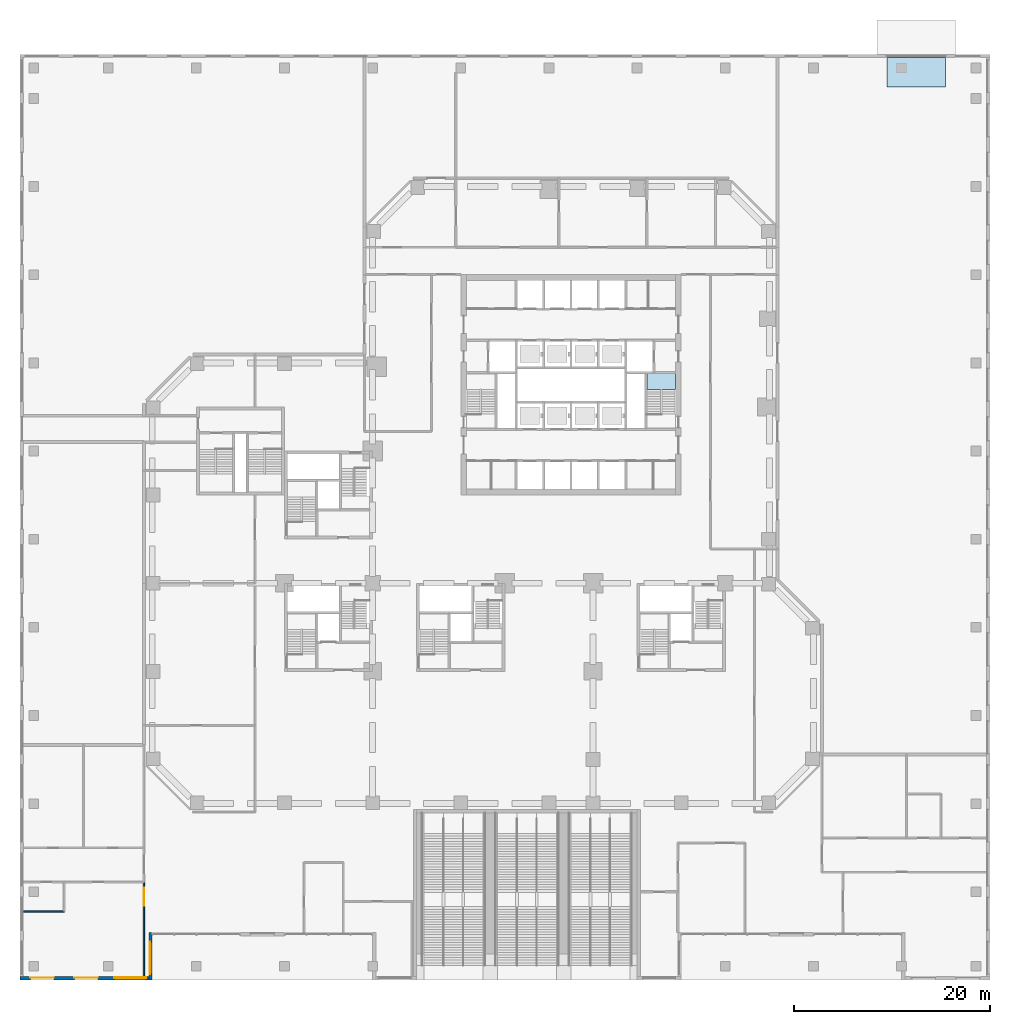
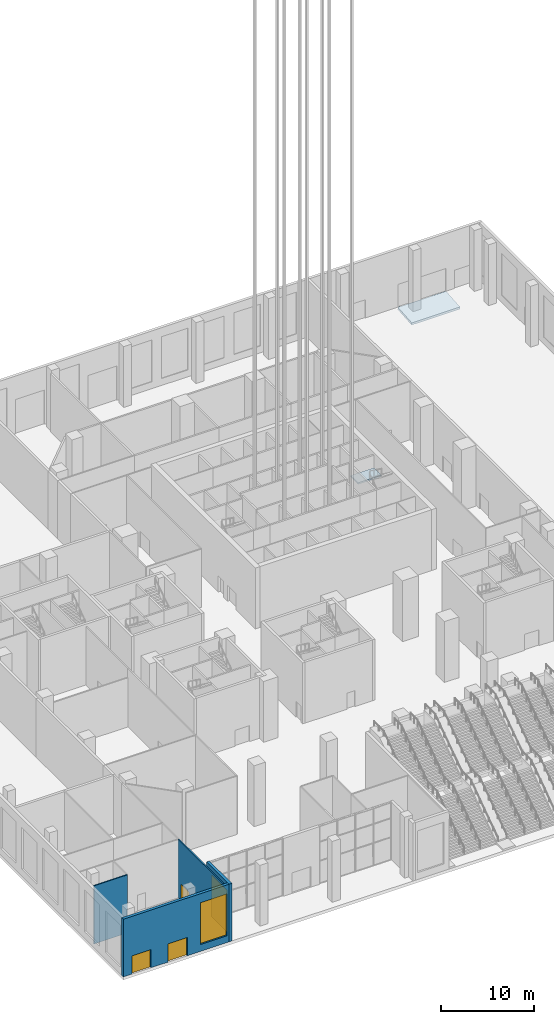
# One storey, part 7 of 32: 4 walls, 3 doors, 2 slabs, 2 windows, 5 openings, 1 element without a shape of its own.
"""IFC4 building model written with IfcOpenShell, lengths in metres."""

from ifc_helpers import new_model, si_unit, direction, frame, frame_2d, origin, place, context, subcontext, project, spatial, polyline, rectangle, outline, extrude, material, layer, layer_set, constituent, constituent_set, type_object, element, fill, aggregate, save


model = new_model("IFC4")

# Units and contexts
model_context = context("Model", 3, precision=1e-05, world=origin(), true_north=direction((0.0, 1.0)))
body_context = subcontext(model_context, "Body", "Model", "MODEL_VIEW")
ifc_project = project(units=[si_unit("LENGTHUNIT", "METRE"), si_unit("AREAUNIT", "SQUARE_METRE"), si_unit("VOLUMEUNIT", "CUBIC_METRE"), si_unit("PLANEANGLEUNIT", "RADIAN"), si_unit("MASSUNIT", "GRAM", prefix="KILO")], contexts=[model_context])

# Site, building, storey
site_placement = place(None, origin())
site = spatial("IfcSite", under=ifc_project, at=site_placement, CompositionType="ELEMENT")
building_placement = place(site_placement, origin())
building = spatial("IfcBuilding", under=site, at=building_placement, Name="Quoin Convention Tower", CompositionType="ELEMENT")
storey_placement = place(building_placement, origin())
storey = spatial("IfcBuildingStorey", under=building, at=storey_placement, Name="L00", CompositionType="ELEMENT", Elevation=0.0)

# Slab
ifc_material_1 = material(Name="Concrete C40", Category="concrete")
ifc_layer_1 = layer(ifc_material_1, 0.300048828125)
ifc_layer_set_1 = layer_set([ifc_layer_1], Name="Concrete C40")
slab_type_1 = type_object("IfcSlabType", Name="Car ramp slab", PredefinedType="USERDEFINED", material=ifc_layer_set_1)
slab_1_placement = place(storey_placement, frame((88.5, 94.14990234375, 0.0), z_axis=(0.0, -0.083045479854, 0.996545758245), x_axis=(1.0, 0.0, 0.0)))
element("IfcSlab", 1, at=slab_1_placement, inside=storey, type_object=slab_type_1, Name="CAR RAMP 1TOP", ObjectType="VEHICLE RAMP SLAB", PredefinedType="USERDEFINED", context=body_context, shape_type="SweptSolid", body=[
    extrude(outline(polyline([(0.0, 0.0), (6.0, 0.0), (6.0, -3.010398644698074), (0.0, -3.010398644698074), (0.0, 0.0)])), origin(), (0.0, 0.0, -1.0), 0.300048828125),
])

# Stair, slab
stair_type = type_object("IfcStairType", Name="Exit stair four-flight 1350", PredefinedType="DOUBLE_RETURN_STAIR", material=ifc_material_1)
stair_placement = place(storey_placement, origin())
stair = element("IfcStair", 2, at=stair_placement, inside=storey, type_object=stair_type, Name="SD2 L00", PredefinedType="DOUBLE_RETURN_STAIR")
ifc_layer_2 = layer(ifc_material_1, 0.199951171875)
ifc_layer_set_2 = layer_set([ifc_layer_2], Name="Concrete C40")
slab_type_2 = type_object("IfcSlabType", Name="Stair landing 200", PredefinedType="LANDING", material=ifc_layer_set_2)
slab_2_placement = place(storey_placement, frame((0.0, 0.0, 5.800048828125)))
slab_2 = element("IfcSlab", 3, at=slab_2_placement, type_object=slab_type_2, Name="ST2 landing 3", PredefinedType="LANDING", context=body_context, shape_type="SweptSolid", body=[
    extrude(outline(polyline([(64.0, 60.300048828125), (66.89990234375, 60.300048828125), (66.89990234375, 61.89990234375), (64.0, 61.89990234375), (64.0, 60.300048828125)])), origin(), (0.0, 0.0, 1.0), 0.199951171875),
])
aggregate(stair, [slab_2])

# Wall, openings, doors, window
ifc_material_2 = material(Name="Brick masonry", Category="masonry")
ifc_layer_3 = layer(ifc_material_2, 0.35009765625)
ifc_layer_set_3 = layer_set([ifc_layer_3], Name="Brick masonry")
wall_type_1 = type_object("IfcWallType", Name="Brick facade wall", PredefinedType="STANDARD", material=ifc_layer_set_3)
wall_1_placement = place(storey_placement, frame((0.0, 0.175048828125, 0.0), z_axis=(0.0, 0.0, 1.0), x_axis=(1.0, 0.0, 0.0)))
wall_1 = element("IfcWall", 4, at=wall_1_placement, inside=storey, type_object=wall_type_1, Name="fw-L00-0_0", PredefinedType="STANDARD", context=body_context, shape_type="SweptSolid", body=[
    extrude(rectangle(XDim=13.5, YDim=0.35009765625, at=frame_2d((6.75, 0.0))), origin(), (0.0, 0.0, 1.0), 7.590087890625),
])
opening_1_placement = place(wall_1_placement, frame((1.050048828125, 0.0, 0.0)))
opening_1 = element("IfcOpeningElement", 5, at=opening_1_placement, cuts=wall_1, Name="Opening D-T5", PredefinedType="OPENING", context=body_context, shape_type="SweptSolid", body=[
    extrude(rectangle(XDim=2.39990234375, YDim=2.39990234375, at=frame_2d((1.199951171875, 1.199951171875))), frame((0.0, 0.18505859375, 0.0), z_axis=(0.0, -1.0, 0.0), x_axis=(1.0, 0.0, 0.0)), (0.0, 0.0, 1.0), 0.3701171875),
])
opening_2_placement = place(wall_1_placement, frame((5.550048828125, 0.0, 0.0)))
opening_2 = element("IfcOpeningElement", 6, at=opening_2_placement, cuts=wall_1, Name="Opening D-T5", PredefinedType="OPENING", context=body_context, shape_type="SweptSolid", body=[
    extrude(rectangle(XDim=2.39990234375, YDim=2.39990234375, at=frame_2d((1.199951171875, 1.199951171875))), frame((0.0, 0.18505859375, 0.0), z_axis=(0.0, -1.0, 0.0), x_axis=(1.0, 0.0, 0.0)), (0.0, 0.0, 1.0), 0.3701171875),
])
opening_3_placement = place(wall_1_placement, frame((9.60009765625, 0.0, 0.89990234375)))
opening_3 = element("IfcOpeningElement", 7, at=opening_3_placement, cuts=wall_1, Name="Opening W-06", PredefinedType="OPENING", context=body_context, shape_type="SweptSolid", body=[
    extrude(rectangle(XDim=3.300048828125, YDim=5.5, at=frame_2d((1.64990234375, 2.75))), frame((0.0, 0.18505859375, 0.0), z_axis=(0.0, -1.0, 0.0), x_axis=(1.0, 0.0, 0.0)), (0.0, 0.0, 1.0), 0.3701171875),
])
ifc_material_3 = material(Name="Galvanised steel", Category="steel")
door_type_1 = type_object("IfcDoorType", Name="Exit door", OperationType="DOUBLE_DOOR_SINGLE_SWING", PredefinedType="DOOR", material=ifc_material_3)
door_1_placement = place(opening_1_placement, frame((2.39990234375, 0.0, 0.0), z_axis=(0.0, 0.0, 1.0), x_axis=(-1.0, 0.0, 0.0)))
door_1 = element("IfcDoor", 8, at=door_1_placement, inside=storey, type_object=door_type_1, Name="dr-L00-2250_175", OperationType="DOUBLE_DOOR_SINGLE_SWING", OverallHeight=2.39990234375, OverallWidth=2.39990234375, PredefinedType="DOOR", context=body_context, shape_type="SweptSolid", body=[
    extrude(rectangle(XDim=2.39990234375, YDim=2.39990234375, at=frame_2d((1.199951171875, 1.199951171875))), frame((0.0, -0.02978515625, 0.0), z_axis=(0.0, -1.0, 0.0), x_axis=(1.0, 0.0, 0.0)), (0.0, 0.0, 1.0), 0.050048828125),
])
fill(opening_1, door_1)
door_2_placement = place(opening_2_placement, frame((2.39990234375, 0.0, 0.0), z_axis=(0.0, 0.0, 1.0), x_axis=(-1.0, 0.0, 0.0)))
door_2 = element("IfcDoor", 9, at=door_2_placement, inside=storey, type_object=door_type_1, Name="dr-L00-6750_175", OperationType="DOUBLE_DOOR_SINGLE_SWING", OverallHeight=2.39990234375, OverallWidth=2.39990234375, PredefinedType="DOOR", context=body_context, shape_type="SweptSolid", body=[
    extrude(rectangle(XDim=2.39990234375, YDim=2.39990234375, at=frame_2d((1.199951171875, 1.199951171875))), frame((0.0, -0.02978515625, 0.0), z_axis=(0.0, -1.0, 0.0), x_axis=(1.0, 0.0, 0.0)), (0.0, 0.0, 1.0), 0.050048828125),
])
fill(opening_2, door_2)
ifc_material_4 = material(Name="Aluminium", Category="aluminium")
ifc_constituent_1 = constituent(ifc_material_4, Name="Frame")
ifc_material_5 = material(Name="Insulated glass", Category="glass")
ifc_constituent_2 = constituent(ifc_material_5, Name="Glazing")
ifc_constituent_set = constituent_set(constituents=[ifc_constituent_1, ifc_constituent_2], Name="Aluminium")
window_type = type_object("IfcWindowType", Name="Podium street window", PartitioningType="TRIPLE_PANEL_VERTICAL", PredefinedType="WINDOW", material=ifc_constituent_set)
window_1_placement = place(opening_3_placement, origin())
window_1 = element("IfcWindow", 10, at=window_1_placement, inside=storey, type_object=window_type, Name="win-L00-11250_175", OverallHeight=5.5, OverallWidth=3.300048828125, PartitioningType="SINGLE_PANEL", PredefinedType="WINDOW", context=body_context, shape_type="SweptSolid", body=[
    extrude(rectangle(XDim=3.300048828125, YDim=5.5, at=frame_2d((1.64990234375, 2.75))), frame((0.0, 0.0849609375, 0.0), z_axis=(0.0, -1.0, 0.0), x_axis=(1.0, 0.0, 0.0)), (0.0, 0.0, 1.0), 0.06005859375),
])
fill(opening_3, window_1)

# Wall, opening, window
wall_2_placement = place(storey_placement, frame((13.324951171875, 0.0, 0.0), z_axis=(0.0, 0.0, 1.0), x_axis=(0.0, 1.0, 0.0)))
wall_2 = element("IfcWall", 11, at=wall_2_placement, inside=storey, type_object=wall_type_1, Name="fw-L00-13500_0", PredefinedType="STANDARD", context=body_context, shape_type="SweptSolid", body=[
    extrude(rectangle(XDim=4.85009765625, YDim=0.35009765625, at=frame_2d((2.425048828125, 0.0))), origin(), (0.0, 0.0, 1.0), 7.590087890625),
])
opening_4_placement = place(wall_2_placement, frame((0.60009765625, 0.0, 0.89990234375)))
opening_4 = element("IfcOpeningElement", 12, at=opening_4_placement, cuts=wall_2, Name="Opening W-06", PredefinedType="OPENING", context=body_context, shape_type="SweptSolid", body=[
    extrude(rectangle(XDim=3.300048828125, YDim=5.5, at=frame_2d((1.64990234375, 2.75))), frame((0.0, 0.18505859375, 0.0), z_axis=(0.0, -1.0, 0.0), x_axis=(1.0, 0.0, 0.0)), (0.0, 0.0, 1.0), 0.3701171875),
])
window_2_placement = place(opening_4_placement, origin())
window_2 = element("IfcWindow", 13, at=window_2_placement, inside=storey, type_object=window_type, Name="win-L00-13325_2250", OverallHeight=5.5, OverallWidth=3.300048828125, PartitioningType="SINGLE_PANEL", PredefinedType="WINDOW", context=body_context, shape_type="SweptSolid", body=[
    extrude(rectangle(XDim=3.300048828125, YDim=5.5, at=frame_2d((1.64990234375, 2.75))), frame((0.0, 0.0849609375, 0.0), z_axis=(0.0, -1.0, 0.0), x_axis=(1.0, 0.0, 0.0)), (0.0, 0.0, 1.0), 0.06005859375),
])
fill(opening_4, window_2)

# Wall, opening, door
ifc_material_6 = material(Name="Plasterboard")
ifc_layer_4 = layer(ifc_material_6, 0.012451171875, Name="Finish")
ifc_material_7 = material(Name="Steel stud framing", Category="steel")
ifc_layer_5 = layer(ifc_material_7, 0.125, Name="Structure")
ifc_layer_6 = layer(ifc_material_6, 0.012451171875, Name="Finish")
ifc_layer_set_4 = layer_set([ifc_layer_4, ifc_layer_5, ifc_layer_6], Name="Steel stud framing")
wall_type_2 = type_object("IfcWallType", Name="Partition wall 150", PredefinedType="PARTITIONING", material=ifc_layer_set_4)
wall_3_placement = place(storey_placement, frame((12.64990234375, 0.35009765625, 0.0), z_axis=(0.0, 0.0, 1.0), x_axis=(0.0, 1.0, 0.0)))
wall_3 = element("IfcWall", 14, at=wall_3_placement, inside=storey, type_object=wall_type_2, Name="pw-L00-001", PredefinedType="PARTITIONING", context=body_context, shape_type="SweptSolid", body=[
    extrude(rectangle(XDim=9.64990234375, YDim=0.14990234375, at=frame_2d((4.824951171875, 0.0))), origin(), (0.0, 0.0, 1.0), 7.64990234375),
])
opening_5_placement = place(wall_3_placement, frame((7.25, 0.0, 0.0)))
opening_5 = element("IfcOpeningElement", 15, at=opening_5_placement, cuts=wall_3, Name="Opening DPD0-01", PredefinedType="OPENING", context=body_context, shape_type="SweptSolid", body=[
    extrude(rectangle(XDim=1.800048828125, YDim=2.10009765625, at=frame_2d((0.89990234375, 1.050048828125))), frame((0.0, 0.0849609375, 0.0), z_axis=(0.0, -1.0, 0.0), x_axis=(1.0, 0.0, 0.0)), (0.0, 0.0, 1.0), 0.169921875),
])
ifc_material_8 = material(Name="Steel door leaf", Category="steel")
door_type_2 = type_object("IfcDoorType", Name="Double leaf door 1800", OperationType="DOUBLE_DOOR_SINGLE_SWING", PredefinedType="DOOR", material=ifc_material_8)
door_3_placement = place(opening_5_placement, origin())
door_3 = element("IfcDoor", 16, at=door_3_placement, inside=storey, type_object=door_type_2, Name="dr-L00-023", OperationType="DOUBLE_DOOR_SINGLE_SWING", OverallHeight=2.10009765625, OverallWidth=1.800048828125, PredefinedType="DOOR", context=body_context, shape_type="SweptSolid", body=[
    extrude(rectangle(XDim=1.800048828125, YDim=2.10009765625, at=frame_2d((0.89990234375, 1.050048828125))), frame((0.0, 0.02490234375, 0.0), z_axis=(0.0, -1.0, 0.0), x_axis=(1.0, 0.0, 0.0)), (0.0, 0.0, 1.0), 0.050048828125),
])
fill(opening_5, door_3)

# Wall
ifc_layer_7 = layer(ifc_material_6, 0.012451171875, Name="Finish")
ifc_layer_8 = layer(ifc_material_7, 0.125, Name="Structure")
ifc_layer_9 = layer(ifc_material_6, 0.012451171875, Name="Finish")
ifc_layer_set_5 = layer_set([ifc_layer_7, ifc_layer_8, ifc_layer_9], Name="Steel stud framing")
wall_type_3 = type_object("IfcWallType", Name="Wet area wall 150", PredefinedType="PARTITIONING", material=ifc_layer_set_5)
wall_4_placement = place(storey_placement, frame((0.35009765625, 7.0, 0.0), z_axis=(0.0, 0.0, 1.0), x_axis=(1.0, 0.0, 0.0)))
element("IfcWall", 17, at=wall_4_placement, inside=storey, type_object=wall_type_3, Name="pw-L00-008", PredefinedType="PARTITIONING", context=body_context, shape_type="SweptSolid", body=[
    extrude(rectangle(XDim=4.14990234375, YDim=0.14990234375, at=frame_2d((2.074951171875, 0.0))), origin(), (0.0, 0.0, 1.0), 7.64990234375),
])

save(model, "model.ifc")
